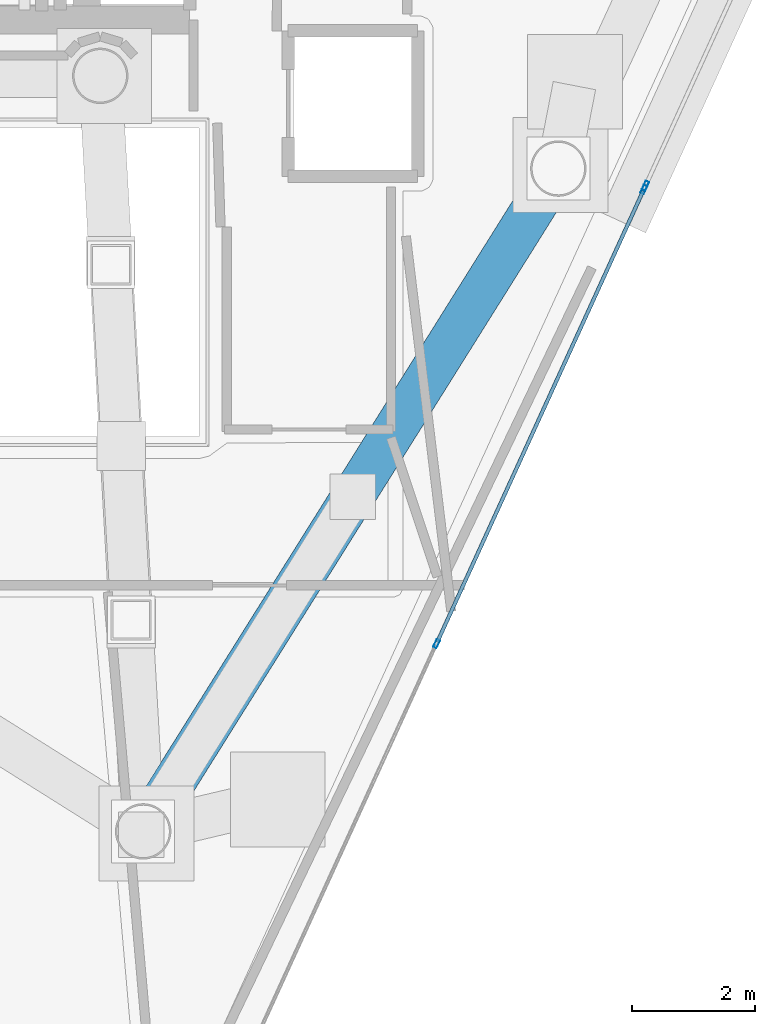
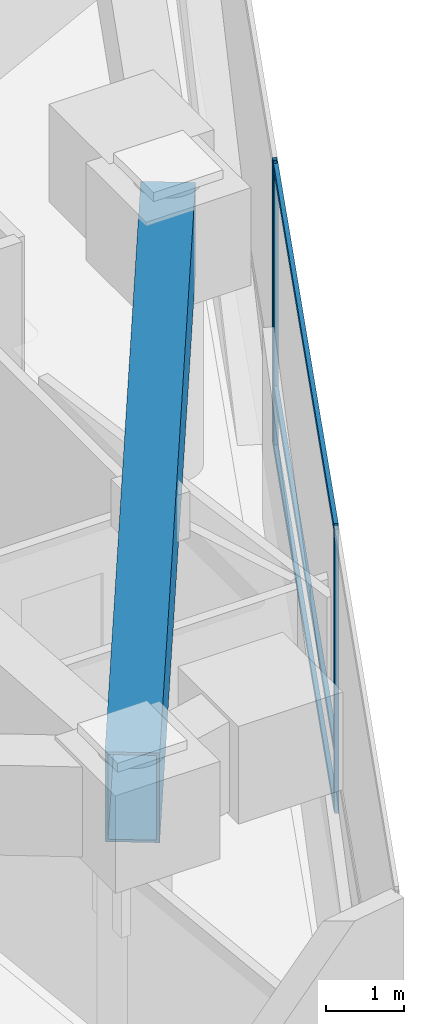
# One storey, part 6 of 20: 6 members, 1 beam, 2 elements without a shape of their own.
"""IFC4 building model written with IfcOpenShell, lengths in metres."""

from ifc_helpers import new_model, si_unit, direction, frame, origin, origin_2d, place, context, subcontext, project, spatial, hollow_rectangle, extrude, material, layer, layer_set, material_profile, profile_set, type_object, element, aggregate, save


model = new_model("IFC4")

# Units and contexts
model_context = context("Model", 3, precision=1e-05, world=origin(), true_north=direction((0.0, 1.0)))
body_context = subcontext(model_context, "Body", "Model", "MODEL_VIEW")
ifc_project = project(units=[si_unit("LENGTHUNIT", "METRE"), si_unit("AREAUNIT", "SQUARE_METRE"), si_unit("VOLUMEUNIT", "CUBIC_METRE"), si_unit("PLANEANGLEUNIT", "RADIAN"), si_unit("MASSUNIT", "GRAM", prefix="KILO")], contexts=[model_context])

# Site, building, storey
site_placement = place(None, origin())
site = spatial("IfcSite", under=ifc_project, at=site_placement, CompositionType="ELEMENT")
building_placement = place(site_placement, origin())
building = spatial("IfcBuilding", under=site, at=building_placement, Name="Qianvela Tower", CompositionType="ELEMENT")
storey_placement = place(building_placement, frame((0.0, 0.0, 321.300048828125)))
storey = spatial("IfcBuildingStorey", under=building, at=storey_placement, Name="L83", CompositionType="ELEMENT", Elevation=321.300048828125)

# Beam
ifc_material_1 = material(Name="Steel Q420GJC", Category="steel")
ifc_material_profile_1 = material_profile(ifc_material_1, hollow_rectangle(XDim=0.699951171875, YDim=1.39990234375, WallThickness=0.0400390625, at=origin_2d()), Name="TG-BOX-1400x700x40")
ifc_profile_set_1 = profile_set([ifc_material_profile_1], Name="Steel Q420GJC")
beam_type = type_object("IfcBeamType", Name="BM-TG-RAD-1400", PredefinedType="BEAM", material=ifc_profile_set_1)
beam_placement = place(storey_placement, frame((39.095947265625, 11.587890625, 3.718017578125), z_axis=(0.530840654868, 0.847471650935, 0.0), x_axis=(-0.847471650935, 0.530840654868, 0.0)))
element("IfcBeam", 1, at=beam_placement, inside=storey, type_object=beam_type, Name="L83 Perimeter Belt-Truss Top Ring Girder 5", PredefinedType="BEAM", context=body_context, shape_type="SweptSolid", body=[
    extrude(hollow_rectangle(XDim=0.699951171875, YDim=1.39990234375, WallThickness=0.0400390625, at=origin_2d()), origin(), (0.0, 0.0, 1.0), 12.693115234375),
])

# Curtain wall, member
ifc_material_2 = material(Name="Anodised Architectural Aluminium and Insulated Spandrel Panel", Category="aluminium")
ifc_layer_1 = layer(ifc_material_2, 0.179931640625)
ifc_layer_set_1 = layer_set([ifc_layer_1], Name="Anodised Architectural Aluminium and Insulated Spandrel Panel")
curtain_wall_type_1 = type_object("IfcCurtainWallType", Name="CW-BRACEBAY", PredefinedType="USERDEFINED", material=ifc_layer_set_1)
curtain_wall_1_placement = place(storey_placement, origin())
curtain_wall_1 = element("IfcCurtainWall", 2, at=curtain_wall_1_placement, inside=storey, type_object=curtain_wall_type_1, Name="L83 CW-BRACEBAY Curtain Wall 06B", ObjectType="CURTAIN_WALL_SYSTEM", PredefinedType="USERDEFINED")
ifc_material_3 = material(Name="Anodised Architectural Aluminium 6063-T6", Category="aluminium")
ifc_material_profile_2 = material_profile(ifc_material_3, hollow_rectangle(XDim=0.06494140625, YDim=0.159912109375, WallThickness=0.0048828125, at=origin_2d()), Name="ALU-MULL-65x160")
ifc_profile_set_2 = profile_set([ifc_material_profile_2], Name="Anodised Architectural Aluminium 6063-T6")
member_type_1 = type_object("IfcMemberType", Name="CW-BRACEBAY-MULL", PredefinedType="MULLION", material=ifc_profile_set_2)
member_1_placement = place(storey_placement, frame((47.247802734375, 22.063720703125, 0.0), z_axis=(0.0, 0.0, 1.0), x_axis=(-0.909767014219, 0.415119235689, 0.0)))
member_1 = element("IfcMember", 3, at=member_1_placement, type_object=member_type_1, Name="CW-9 mullion 1", PredefinedType="MULLION", context=body_context, shape_type="SweptSolid", body=[
    extrude(hollow_rectangle(XDim=0.06494140625, YDim=0.159912109375, WallThickness=0.0048828125, at=origin_2d()), origin(), (0.0, 0.0, 1.0), 4.419921875),
])
aggregate(curtain_wall_1, [member_1])

# Curtain wall, members
ifc_material_4 = material(Name="Anodised Architectural Aluminium and Low-E Glass", Category="aluminium")
ifc_layer_2 = layer(ifc_material_4, 0.14990234375)
ifc_layer_set_2 = layer_set([ifc_layer_2], Name="Anodised Architectural Aluminium and Low-E Glass")
curtain_wall_type_2 = type_object("IfcCurtainWallType", Name="CW-COLIV-Z78", PredefinedType="USERDEFINED", material=ifc_layer_set_2)
curtain_wall_2_placement = place(storey_placement, origin())
curtain_wall_2 = element("IfcCurtainWall", 4, at=curtain_wall_2_placement, inside=storey, type_object=curtain_wall_type_2, Name="L83 CW-COLIV-Z78 Curtain Wall 06A", ObjectType="CURTAIN_WALL_SYSTEM", PredefinedType="USERDEFINED")
ifc_material_5 = material(Name="Anodised Architectural Aluminium 6063-T6", Category="aluminium")
ifc_material_profile_3 = material_profile(ifc_material_5, hollow_rectangle(XDim=0.06005859375, YDim=0.139892578125, WallThickness=0.00439453125, at=origin_2d()), Name="ALU-MULL-60x140")
ifc_profile_set_3 = profile_set([ifc_material_profile_3], Name="Anodised Architectural Aluminium 6063-T6")
member_type_2 = type_object("IfcMemberType", Name="CW-COLIV-Z78-MULL", PredefinedType="MULLION", material=ifc_profile_set_3)
member_2_placement = place(storey_placement, frame((43.857177734375, 14.633056640625, 0.0), z_axis=(0.0, 0.0, 1.0), x_axis=(-0.909766682548, 0.415119962571, 0.0)))
member_2 = element("IfcMember", 5, at=member_2_placement, type_object=member_type_2, Name="CW-6 mullion 2", PredefinedType="MULLION", context=body_context, shape_type="SweptSolid", body=[
    extrude(hollow_rectangle(XDim=0.06005859375, YDim=0.139892578125, WallThickness=0.00439453125, at=origin_2d()), origin(), (0.0, 0.0, 1.0), 4.419921875),
])
member_3_placement = place(storey_placement, frame((47.2216796875, 22.0068359375, 0.0), z_axis=(0.0, 0.0, 1.0), x_axis=(-0.909766682548, 0.415119962571, 0.0)))
member_3 = element("IfcMember", 6, at=member_3_placement, type_object=member_type_2, Name="CW-6 mullion 3", PredefinedType="MULLION", context=body_context, shape_type="SweptSolid", body=[
    extrude(hollow_rectangle(XDim=0.06005859375, YDim=0.139892578125, WallThickness=0.00439453125, at=origin_2d()), origin(), (0.0, 0.0, 1.0), 4.419921875),
])
ifc_material_6 = material(Name="Anodised Architectural Aluminium 6063-T6", Category="aluminium")
ifc_material_profile_4 = material_profile(ifc_material_6, hollow_rectangle(XDim=0.06005859375, YDim=0.114990234375, WallThickness=0.00390625, at=origin_2d()), Name="ALU-TRAN-60x115")
ifc_profile_set_4 = profile_set([ifc_material_profile_4], Name="Anodised Architectural Aluminium 6063-T6")
member_type_3 = type_object("IfcMemberType", Name="CW-COLIV-Z78-TRAN", PredefinedType="USERDEFINED", material=ifc_profile_set_4)
member_4_placement = place(storey_placement, frame((43.86962890625, 14.660400390625, 0.030029296875), z_axis=(0.415114912753, 0.909768986727, 0.0), x_axis=(-0.909768986727, 0.415114912753, 0.0)))
member_4 = element("IfcMember", 7, at=member_4_placement, type_object=member_type_3, Name="CW-6 transom 2.1", ObjectType="TRANSOM", PredefinedType="USERDEFINED", context=body_context, shape_type="SweptSolid", body=[
    extrude(hollow_rectangle(XDim=0.06005859375, YDim=0.114990234375, WallThickness=0.00390625, at=origin_2d()), origin(), (0.0, 0.0, 1.0), 8.044921875),
])
member_5_placement = place(storey_placement, frame((43.86962890625, 14.660400390625, 0.949951171875), z_axis=(0.415114912753, 0.909768986727, 0.0), x_axis=(-0.909768986727, 0.415114912753, 0.0)))
member_5 = element("IfcMember", 8, at=member_5_placement, type_object=member_type_3, Name="CW-6 transom 2.2", ObjectType="TRANSOM", PredefinedType="USERDEFINED", context=body_context, shape_type="SweptSolid", body=[
    extrude(hollow_rectangle(XDim=0.06005859375, YDim=0.114990234375, WallThickness=0.00390625, at=origin_2d()), origin(), (0.0, 0.0, 1.0), 8.044921875),
])
member_6_placement = place(storey_placement, frame((43.86962890625, 14.660400390625, 4.389892578125), z_axis=(0.415114912753, 0.909768986727, 0.0), x_axis=(-0.909768986727, 0.415114912753, 0.0)))
member_6 = element("IfcMember", 9, at=member_6_placement, type_object=member_type_3, Name="CW-6 transom 2.3", ObjectType="TRANSOM", PredefinedType="USERDEFINED", context=body_context, shape_type="SweptSolid", body=[
    extrude(hollow_rectangle(XDim=0.06005859375, YDim=0.114990234375, WallThickness=0.00390625, at=origin_2d()), origin(), (0.0, 0.0, 1.0), 8.044921875),
])
aggregate(curtain_wall_2, [member_2, member_3, member_4, member_5, member_6])

save(model, "model.ifc")
